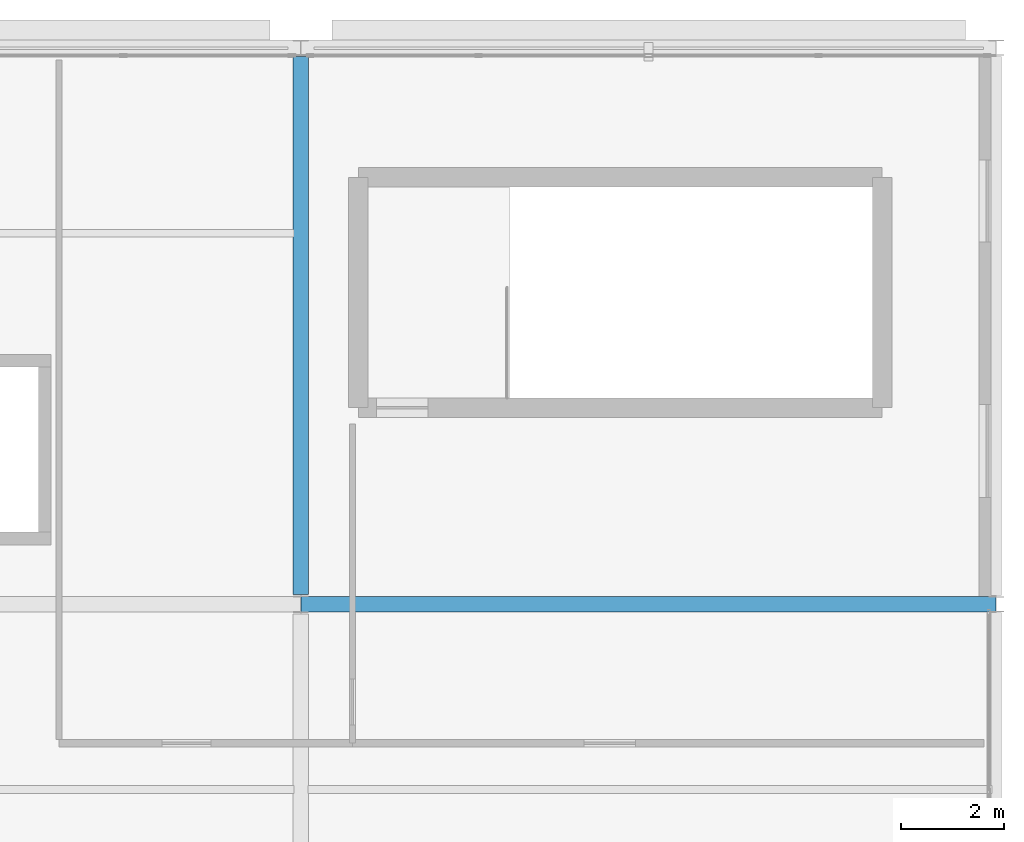
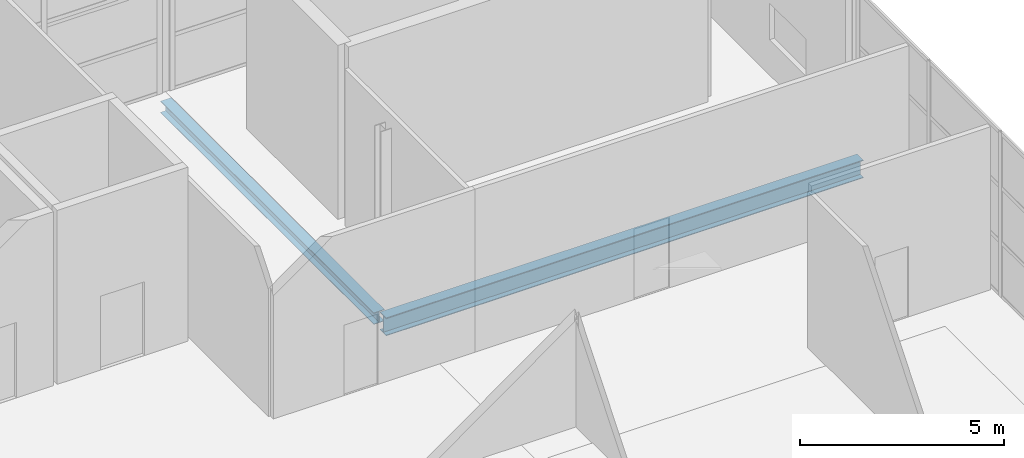
# One storey, part 25 of 34: 2 beams.
"""IFC4 building model written with IfcOpenShell, lengths in metres."""

from ifc_helpers import new_model, si_unit, direction, frame, origin, origin_2d, place, context, subcontext, project, spatial, i_section, extrude, material, material_profile, profile_set, type_object, element, save


model = new_model("IFC4")

# Units and contexts
model_context = context("Model", 3, precision=1e-05, world=origin(), true_north=direction((0.0, 1.0)))
body_context = subcontext(model_context, "Body", "Model", "MODEL_VIEW")
ifc_project = project(units=[si_unit("LENGTHUNIT", "METRE"), si_unit("AREAUNIT", "SQUARE_METRE"), si_unit("VOLUMEUNIT", "CUBIC_METRE"), si_unit("PLANEANGLEUNIT", "RADIAN"), si_unit("MASSUNIT", "GRAM", prefix="KILO")], contexts=[model_context])

# Site, building, storey
site_placement = place(None, origin())
site = spatial("IfcSite", under=ifc_project, at=site_placement, CompositionType="ELEMENT")
building_placement = place(site_placement, origin())
building = spatial("IfcBuilding", under=site, at=building_placement, Name="Tamarisk Ironworks Central Station", CompositionType="ELEMENT")
storey_placement = place(building_placement, frame((0.0, 0.0, 25.199951171875)))
storey = spatial("IfcBuildingStorey", under=building, at=storey_placement, Name="L05", CompositionType="ELEMENT", Elevation=25.199951171875)

# Beams
ifc_material = material(Name="Structural steel S355J2", Category="steel")
ifc_material_profile_1 = material_profile(ifc_material, i_section(OverallWidth=0.300048828125, OverallDepth=0.5400390625, WebThickness=0.012451171875, FlangeThickness=0.02392578125, at=origin_2d()), Name="HEA 550")
ifc_profile_set_1 = profile_set([ifc_material_profile_1], Name="Structural steel S355J2")
beam_type_1 = type_object("IfcBeamType", Name="BM-G04", PredefinedType="BEAM", material=ifc_profile_set_1)
beam_1_placement = place(storey_placement, frame((166.50390625, 111.60009765625, -0.489990234375), z_axis=(1.0, 0.0, 0.0), x_axis=(0.0, 1.0, 0.0)))
element("IfcBeam", 1, at=beam_1_placement, inside=storey, type_object=beam_type_1, Name="L05 primary girder X-0764", PredefinedType="BEAM", context=body_context, shape_type="SweptSolid", body=[
    extrude(i_section(OverallWidth=0.300048828125, OverallDepth=0.5400390625, WebThickness=0.012451171875, FlangeThickness=0.02392578125, at=origin_2d()), origin(), (0.0, 0.0, 1.0), 13.4921875),
])
ifc_material_profile_2 = material_profile(ifc_material, i_section(OverallWidth=0.300048828125, OverallDepth=0.35009765625, WebThickness=0.010009765625, FlangeThickness=0.017578125, at=origin_2d()), Name="HEA 360")
ifc_profile_set_2 = profile_set([ifc_material_profile_2], Name="Structural steel S355J2")
beam_type_2 = type_object("IfcBeamType", Name="BM-G08", PredefinedType="BEAM", material=ifc_profile_set_2)
beam_2_placement = place(storey_placement, frame((166.5, 111.7880859375, -0.39501953125), z_axis=(0.0, 1.0, 0.0), x_axis=(-1.0, 0.0, 0.0)))
element("IfcBeam", 2, at=beam_2_placement, inside=storey, type_object=beam_type_2, Name="L05 primary girder Y-0781", PredefinedType="BEAM", context=body_context, shape_type="SweptSolid", body=[
    extrude(i_section(OverallWidth=0.300048828125, OverallDepth=0.35009765625, WebThickness=0.010009765625, FlangeThickness=0.017578125, at=origin_2d()), origin(), (0.0, 0.0, 1.0), 10.44384765625),
])

save(model, "model.ifc")
